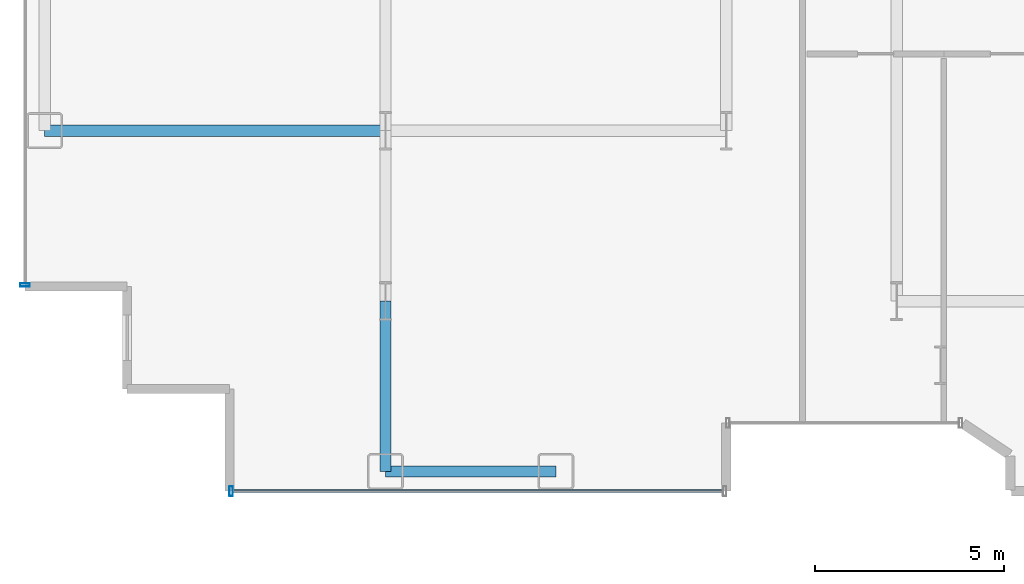
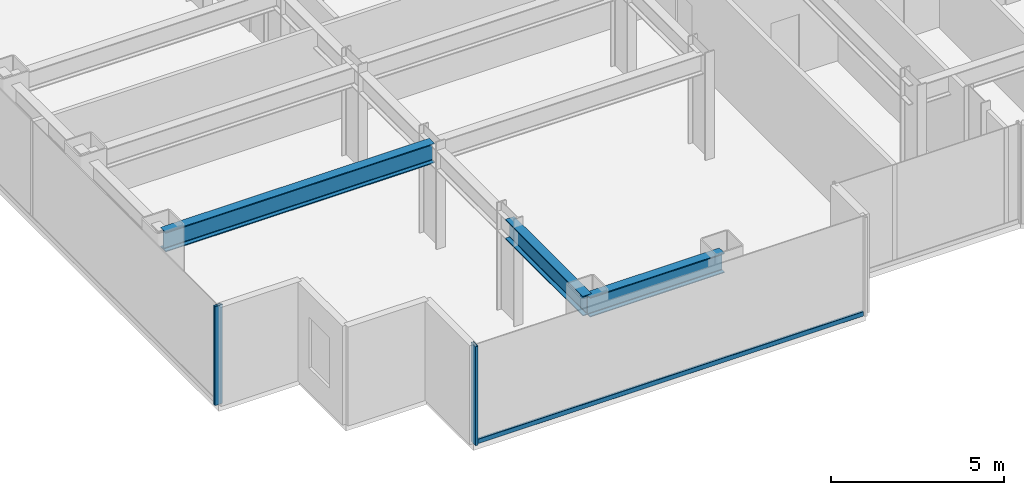
# One storey, part 2 of 26: 3 beams, 3 members, 2 elements without a shape of their own.
"""IFC4 building model written with IfcOpenShell, lengths in metres."""

from ifc_helpers import new_model, si_unit, direction, frame, origin, origin_2d, place, context, subcontext, project, spatial, hollow_rectangle, i_section, extrude, source, transform, mapped, material, layer, layer_set, material_profile, profile_set, type_object, element, aggregate, save


model = new_model("IFC4")

# Units and contexts
model_context = context("Model", 3, precision=1e-05, world=origin(), true_north=direction((0.0, 1.0)))
body_context = subcontext(model_context, "Body", "Model", "MODEL_VIEW")
ifc_project = project(units=[si_unit("LENGTHUNIT", "METRE"), si_unit("AREAUNIT", "SQUARE_METRE"), si_unit("VOLUMEUNIT", "CUBIC_METRE"), si_unit("PLANEANGLEUNIT", "RADIAN"), si_unit("MASSUNIT", "GRAM", prefix="KILO")], contexts=[model_context])

# Site, building, storey
site_placement = place(None, origin())
site = spatial("IfcSite", under=ifc_project, at=site_placement, CompositionType="ELEMENT")
building_placement = place(site_placement, origin())
building = spatial("IfcBuilding", under=site, at=building_placement, Name="Nefas-Gora Pilgrimage Tower", CompositionType="ELEMENT")
storey_placement = place(building_placement, frame((0.0, 0.0, 82.39990234375)))
storey = spatial("IfcBuildingStorey", under=building, at=storey_placement, Name="L19", CompositionType="ELEMENT", Elevation=82.39990234375)

# Beams
ifc_material_1 = material(Name="Steel S355", Category="steel")
ifc_material_profile_1 = material_profile(ifc_material_1, i_section(OverallWidth=0.300048828125, OverallDepth=0.699951171875, WebThickness=0.01708984375, FlangeThickness=0.031982421875, FilletRadius=0.027099609375, at=origin_2d()), Name="HEB 700")
ifc_profile_set_1 = profile_set([ifc_material_profile_1], Name="Steel S355")
beam_type_1 = type_object("IfcBeamType", Name="BM-SPN-HEB600", PredefinedType="SPANDREL", material=ifc_profile_set_1)
shared_shape_1 = source(origin(), body_context, "Body", "SweptSolid", [
    extrude(i_section(OverallWidth=0.300048828125, OverallDepth=0.699951171875, WebThickness=0.01708984375, FlangeThickness=0.031982421875, FilletRadius=0.027099609375, at=origin_2d()), origin(), (0.0, 0.0, 1.0), 4.5),
])
beam_1_placement = place(storey_placement, frame((-24.75, -22.5, 3.150146484375), z_axis=(1.0, 0.0, 0.0), x_axis=(0.0, 1.0, 0.0)))
element("IfcBeam", 1, at=beam_1_placement, inside=storey, type_object=beam_type_1, Name="L19 SP-01 beam", PredefinedType="SPANDREL", context=body_context, shape_type="MappedRepresentation", body=[
    mapped(shared_shape_1, transform((0.0, 0.0, 0.0), x_axis=(1.0, 0.0, 0.0), y_axis=(0.0, 1.0, 0.0), z_axis=(0.0, 0.0, 1.0), scale=1.0)),
])
ifc_material_profile_2 = material_profile(ifc_material_1, i_section(OverallWidth=0.300048828125, OverallDepth=0.699951171875, WebThickness=0.01708984375, FlangeThickness=0.031982421875, FilletRadius=0.027099609375, at=origin_2d()), Name="HEB 700")
ifc_profile_set_2 = profile_set([ifc_material_profile_2], Name="Steel S355")
beam_type_2 = type_object("IfcBeamType", Name="BM-GIR-HEB700", PredefinedType="BEAM", material=ifc_profile_set_2)
shared_shape_2 = source(origin(), body_context, "Body", "SweptSolid", [
    extrude(i_section(OverallWidth=0.300048828125, OverallDepth=0.699951171875, WebThickness=0.01708984375, FlangeThickness=0.031982421875, FilletRadius=0.027099609375, at=origin_2d()), origin(), (0.0, 0.0, 1.0), 9.0),
])
beam_2_placement = place(storey_placement, frame((-33.75, -13.5, 3.150146484375), z_axis=(1.0, 0.0, 0.0), x_axis=(0.0, 1.0, 0.0)))
element("IfcBeam", 2, at=beam_2_placement, inside=storey, type_object=beam_type_2, Name="L19 G-02 beam", PredefinedType="BEAM", context=body_context, shape_type="MappedRepresentation", body=[
    mapped(shared_shape_2, transform((0.0, 0.0, 0.0), x_axis=(1.0, 0.0, 0.0), y_axis=(0.0, 1.0, 0.0), z_axis=(0.0, 0.0, 1.0), scale=1.0)),
])
shared_shape_3 = source(origin(), body_context, "Body", "SweptSolid", [
    extrude(i_section(OverallWidth=0.300048828125, OverallDepth=0.699951171875, WebThickness=0.01708984375, FlangeThickness=0.031982421875, FilletRadius=0.027099609375, at=origin_2d()), origin(), (0.0, 0.0, 1.0), 4.5),
])
beam_3_placement = place(storey_placement, frame((-24.75, -22.5, 3.150146484375), z_axis=(0.0, 1.0, 0.0), x_axis=(-1.0, 0.0, 0.0)))
element("IfcBeam", 3, at=beam_3_placement, inside=storey, type_object=beam_type_2, Name="L19 G-02 beam", PredefinedType="BEAM", context=body_context, shape_type="MappedRepresentation", body=[
    mapped(shared_shape_3, transform((0.0, 0.0, 0.0), x_axis=(1.0, 0.0, 0.0), y_axis=(0.0, 1.0, 0.0), z_axis=(0.0, 0.0, 1.0), scale=1.0)),
])

# Curtain wall, member
ifc_material_2 = material(Name="Dark ceramic-fritted solar-control aluminium-glass curtain wall", Category="aluminium")
ifc_layer = layer(ifc_material_2, 0.219970703125)
ifc_layer_set = layer_set([ifc_layer], Name="Dark ceramic-fritted solar-control aluminium-glass curtain wall")
curtain_wall_type = type_object("IfcCurtainWallType", Name="CW-SYS-2", PredefinedType="NOTDEFINED", material=ifc_layer_set)
curtain_wall_1_placement = place(storey_placement, origin())
curtain_wall_1 = element("IfcCurtainWall", 4, at=curtain_wall_1_placement, inside=storey, type_object=curtain_wall_type, Name="L19 Unitised Curtain Wall CW2", PredefinedType="NOTDEFINED")
ifc_material_3 = material(Name="Anodised architectural aluminium", Category="aluminium")
ifc_material_profile_3 = material_profile(ifc_material_3, hollow_rectangle(XDim=0.080078125, YDim=0.159912109375, WallThickness=0.00439453125, InnerFilletRadius=0.00439453125, OuterFilletRadius=0.009033203125, at=origin_2d()), Name="ALU TRANSOM 80x160")
ifc_profile_set_3 = profile_set([ifc_material_profile_3], Name="Anodised architectural aluminium")
member_type_1 = type_object("IfcMemberType", Name="CWM-TRN-2", PredefinedType="USERDEFINED", material=ifc_profile_set_3)
shared_shape_4 = source(origin(), body_context, "Body", "SweptSolid", [
    extrude(hollow_rectangle(XDim=0.080078125, YDim=0.159912109375, WallThickness=0.00439453125, InnerFilletRadius=0.00439453125, OuterFilletRadius=0.009033203125, at=origin_2d()), origin(), (0.0, 0.0, 1.0), 12.93994140625),
])
member_1_placement = place(storey_placement, frame((-28.780029296875, -23.02001953125, 0.050048828125), z_axis=(1.0, 0.0, 0.0), x_axis=(0.0, 1.0, 0.0)))
member_1 = element("IfcMember", 5, at=member_1_placement, type_object=member_type_1, Name="CW2 Spandrel Transom", ObjectType="TRANSOM", PredefinedType="USERDEFINED", context=body_context, shape_type="MappedRepresentation", body=[
    mapped(shared_shape_4, transform((0.0, 0.0, 0.0), x_axis=(1.0, 0.0, 0.0), y_axis=(0.0, 1.0, 0.0), z_axis=(0.0, 0.0, 1.0), scale=1.0)),
])

curtain_wall_2_placement = place(storey_placement, origin())
curtain_wall_2 = element("IfcCurtainWall", 6, at=curtain_wall_2_placement, inside=storey, type_object=curtain_wall_type, Name="L19 Unitised Curtain Wall CW2", PredefinedType="NOTDEFINED")
ifc_material_profile_4 = material_profile(ifc_material_3, hollow_rectangle(XDim=0.090087890625, YDim=0.260009765625, WallThickness=0.006103515625, InnerFilletRadius=0.006103515625, OuterFilletRadius=0.011962890625, at=origin_2d()), Name="ALU MULLION 90x260")
ifc_profile_set_4 = profile_set([ifc_material_profile_4], Name="Anodised architectural aluminium")
member_type_2 = type_object("IfcMemberType", Name="CWM-MUL-2", PredefinedType="MULLION", material=ifc_profile_set_4)
shared_shape_5 = source(origin(), body_context, "Body", "SweptSolid", [
    extrude(hollow_rectangle(XDim=0.090087890625, YDim=0.260009765625, WallThickness=0.006103515625, InnerFilletRadius=0.006103515625, OuterFilletRadius=0.011962890625, at=origin_2d()), origin(), (0.0, 0.0, 1.0), 3.5),
])
member_2_placement = place(storey_placement, frame((-34.27001953125, -17.574951171875, 0.0), z_axis=(0.0, 0.0, 1.0), x_axis=(0.0, -1.0, 0.0)))
member_2 = element("IfcMember", 7, at=member_2_placement, type_object=member_type_2, Name="CW2 Mullion 2", PredefinedType="MULLION", context=body_context, shape_type="MappedRepresentation", body=[
    mapped(shared_shape_5, transform((0.0, 0.0, 0.0), x_axis=(1.0, 0.0, 0.0), y_axis=(0.0, 1.0, 0.0), z_axis=(0.0, 0.0, 1.0), scale=1.0)),
])
aggregate(curtain_wall_2, [member_2])

# Member
member_3_placement = place(storey_placement, frame((-28.824951171875, -23.02001953125, 0.0), z_axis=(0.0, 0.0, 1.0), x_axis=(1.0, 0.0, 0.0)))
member_3 = element("IfcMember", 8, at=member_3_placement, type_object=member_type_2, Name="CW2 Mullion 1", PredefinedType="MULLION", context=body_context, shape_type="MappedRepresentation", body=[
    mapped(shared_shape_5, transform((0.0, 0.0, 0.0), x_axis=(1.0, 0.0, 0.0), y_axis=(0.0, 1.0, 0.0), z_axis=(0.0, 0.0, 1.0), scale=1.0)),
])

aggregate(curtain_wall_1, [member_3, member_1])

save(model, "model.ifc")
